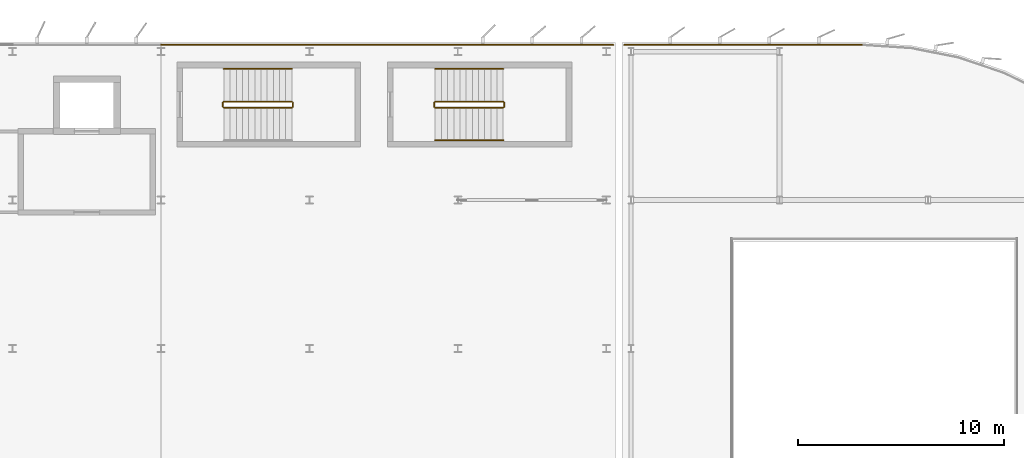
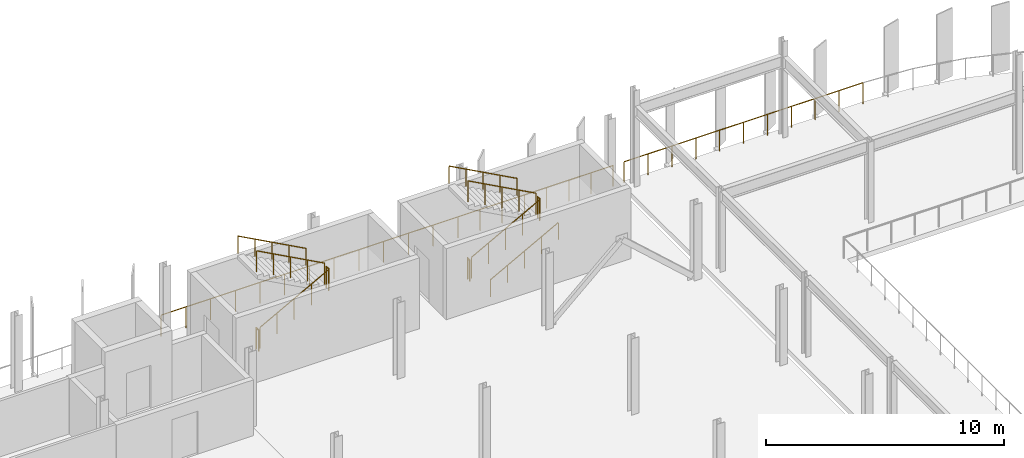
# One storey, part 39 of 40: 15 railings.
"""IFC4 building model written with IfcOpenShell, lengths in metres."""

from ifc_helpers import new_model, si_unit, direction, frame, origin, origin_2d, place, context, subcontext, project, spatial, circle, extrude, material, layer, layer_set, type_object, element, save


model = new_model("IFC4")

# Units and contexts
model_context = context("Model", 3, precision=1e-05, world=origin(), true_north=direction((0.0, 1.0)))
body_context = subcontext(model_context, "Body", "Model", "MODEL_VIEW")
ifc_project = project(units=[si_unit("LENGTHUNIT", "METRE"), si_unit("AREAUNIT", "SQUARE_METRE"), si_unit("VOLUMEUNIT", "CUBIC_METRE"), si_unit("PLANEANGLEUNIT", "RADIAN"), si_unit("MASSUNIT", "GRAM", prefix="KILO")], contexts=[model_context])

# Site, building, storey
site_placement = place(None, origin())
site = spatial("IfcSite", under=ifc_project, at=site_placement, CompositionType="ELEMENT")
building_placement = place(site_placement, origin())
building = spatial("IfcBuilding", under=site, at=building_placement, Name="Vaelcorin Mobility Hub", CompositionType="ELEMENT")
storey_placement = place(building_placement, frame((0.0, 0.0, 17.10009765625)))
storey = spatial("IfcBuildingStorey", under=building, at=storey_placement, Name="L04", CompositionType="ELEMENT", Elevation=17.10009765625)

# Railings
ifc_material_1 = material(Name="Galvanised structural steel ASTM A36", Category="steel")
ifc_layer_1 = layer(ifc_material_1, 0.070068359375)
ifc_layer_set_1 = layer_set([ifc_layer_1], Name="Galvanised structural steel ASTM A36")
railing_type_1 = type_object("IfcRailingType", Name="RL-GUARD-1100", PredefinedType="BALUSTRADE", material=ifc_layer_set_1)
for number, where, name in (
    (1, (100.800048828125, 120.330078125, 0.0), "L04 Perimeter Guard GR-V4-L04-N-10-01"),
    (2, (108.0, 120.330078125, 0.0), "L04 Perimeter Guard GR-V4-L04-N-11-01"),
):
    element("IfcRailing", number, at=place(storey_placement, frame(where)), inside=storey, type_object=railing_type_1, Name=name, PredefinedType="BALUSTRADE", context=body_context, shape_type="SweptSolid", body=[
        extrude(circle(Radius=0.02392578125, at=origin_2d()), frame((0.0, 0.0, 1.076171875), z_axis=(1.0, 0.0, 0.0), x_axis=(0.0, 1.0, 0.0)), (0.0, 0.0, 1.0), 7.199951171875),
        extrude(circle(Radius=0.02099609375, at=origin_2d()), origin(), (0.0, 0.0, 1.0), 1.052001953125),
        extrude(circle(Radius=0.02099609375, at=origin_2d()), frame((1.199951171875, 0.0, 0.0)), (0.0, 0.0, 1.0), 1.052001953125),
        extrude(circle(Radius=0.02099609375, at=origin_2d()), frame((2.39990234375, 0.0, 0.0)), (0.0, 0.0, 1.0), 1.052001953125),
        extrude(circle(Radius=0.02099609375, at=origin_2d()), frame((3.60009765625, 0.0, 0.0)), (0.0, 0.0, 1.0), 1.052001953125),
        extrude(circle(Radius=0.02099609375, at=origin_2d()), frame((4.800048828125, 0.0, 0.0)), (0.0, 0.0, 1.0), 1.052001953125),
        extrude(circle(Radius=0.02099609375, at=origin_2d()), frame((6.0, 0.0, 0.0)), (0.0, 0.0, 1.0), 1.052001953125),
        extrude(circle(Radius=0.02099609375, at=origin_2d()), frame((7.199951171875, 0.0, 0.0)), (0.0, 0.0, 1.0), 1.052001953125),
    ])
railing_1_placement = place(storey_placement, frame((115.199951171875, 120.330078125, 0.0)))
element("IfcRailing", 3, at=railing_1_placement, inside=storey, type_object=railing_type_1, Name="L04 Perimeter Guard GR-V4-L04-N-12-01", PredefinedType="BALUSTRADE", context=body_context, shape_type="SweptSolid", body=[
    extrude(circle(Radius=0.02392578125, at=origin_2d()), frame((0.0, 0.0, 1.076171875), z_axis=(1.0, 0.0, 0.0), x_axis=(0.0, 1.0, 0.0)), (0.0, 0.0, 1.0), 7.530029296875),
    extrude(circle(Radius=0.02099609375, at=origin_2d()), origin(), (0.0, 0.0, 1.0), 1.052001953125),
    extrude(circle(Radius=0.02099609375, at=origin_2d()), frame((1.07568359375, 0.0, 0.0)), (0.0, 0.0, 1.0), 1.052001953125),
    extrude(circle(Radius=0.02099609375, at=origin_2d()), frame((2.1513671875, 0.0, 0.0)), (0.0, 0.0, 1.0), 1.052001953125),
    extrude(circle(Radius=0.02099609375, at=origin_2d()), frame((3.22705078125, 0.0, 0.0)), (0.0, 0.0, 1.0), 1.052001953125),
    extrude(circle(Radius=0.02099609375, at=origin_2d()), frame((4.302978515625, 0.0, 0.0)), (0.0, 0.0, 1.0), 1.052001953125),
    extrude(circle(Radius=0.02099609375, at=origin_2d()), frame((5.378662109375, 0.0, 0.0)), (0.0, 0.0, 1.0), 1.052001953125),
    extrude(circle(Radius=0.02099609375, at=origin_2d()), frame((6.454345703125, 0.0, 0.0)), (0.0, 0.0, 1.0), 1.052001953125),
    extrude(circle(Radius=0.02099609375, at=origin_2d()), frame((7.530029296875, 0.0, 0.0)), (0.0, 0.0, 1.0), 1.052001953125),
])
railing_2_placement = place(storey_placement, frame((123.27001953125, 120.330078125, 0.0)))
element("IfcRailing", 4, at=railing_2_placement, inside=storey, type_object=railing_type_1, Name="L04 Perimeter Guard GR-V2E-L04-01", PredefinedType="BALUSTRADE", context=body_context, shape_type="SweptSolid", body=[
    extrude(circle(Radius=0.02392578125, at=origin_2d()), frame((0.0, 0.0, 1.076171875), z_axis=(1.0, 0.0, 0.0), x_axis=(0.0, 1.0, 0.0)), (0.0, 0.0, 1.0), 11.580078125),
    extrude(circle(Radius=0.02099609375, at=origin_2d()), origin(), (0.0, 0.0, 1.0), 1.052001953125),
    extrude(circle(Radius=0.02099609375, at=origin_2d()), frame((1.157958984375, 0.0, 0.0)), (0.0, 0.0, 1.0), 1.052001953125),
    extrude(circle(Radius=0.02099609375, at=origin_2d()), frame((2.31591796875, 0.0, 0.0)), (0.0, 0.0, 1.0), 1.052001953125),
    extrude(circle(Radius=0.02099609375, at=origin_2d()), frame((3.47412109375, 0.0, 0.0)), (0.0, 0.0, 1.0), 1.052001953125),
    extrude(circle(Radius=0.02099609375, at=origin_2d()), frame((4.632080078125, 0.0, 0.0)), (0.0, 0.0, 1.0), 1.052001953125),
    extrude(circle(Radius=0.02099609375, at=origin_2d()), frame((5.7900390625, 0.0, 0.0)), (0.0, 0.0, 1.0), 1.052001953125),
    extrude(circle(Radius=0.02099609375, at=origin_2d()), frame((6.947998046875, 0.0, 0.0)), (0.0, 0.0, 1.0), 1.052001953125),
    extrude(circle(Radius=0.02099609375, at=origin_2d()), frame((8.10595703125, 0.0, 0.0)), (0.0, 0.0, 1.0), 1.052001953125),
    extrude(circle(Radius=0.02099609375, at=origin_2d()), frame((9.26416015625, 0.0, 0.0)), (0.0, 0.0, 1.0), 1.052001953125),
    extrude(circle(Radius=0.02099609375, at=origin_2d()), frame((10.422119140625, 0.0, 0.0)), (0.0, 0.0, 1.0), 1.052001953125),
    extrude(circle(Radius=0.02099609375, at=origin_2d()), frame((11.580078125, 0.0, 0.0)), (0.0, 0.0, 1.0), 1.052001953125),
])
ifc_material_2 = material(Name="Brushed stainless steel 316L", Category="steel")
ifc_layer_2 = layer(ifc_material_2, 0.048095703125)
ifc_layer_set_2 = layer_set([ifc_layer_2], Name="Brushed stainless steel 316L")
railing_type_2 = type_object("IfcRailingType", Name="RL-STAIR-GRD", PredefinedType="GUARDRAIL", material=ifc_layer_set_2)
railing_3_placement = place(storey_placement, frame((103.85009765625, 117.280029296875, 0.162353515625)))
element("IfcRailing", 5, at=railing_3_placement, inside=storey, type_object=railing_type_2, Name="L04 ST4 stair guard 1", PredefinedType="GUARDRAIL", context=body_context, shape_type="SweptSolid", body=[
    extrude(circle(Radius=0.02392578125, at=origin_2d()), frame((0.0, 0.0, 1.076171875), z_axis=(0.879269262144, 0.0, 0.476325061958), x_axis=(0.0, 1.0, 0.0)), (0.0, 0.0, 1.0), 3.7529296875),
    extrude(circle(Radius=0.02099609375, at=origin_2d()), origin(), (0.0, 0.0, 1.0), 1.052001953125),
    extrude(circle(Radius=0.02099609375, at=origin_2d()), frame((0.824951171875, 0.0, 0.44677734375)), (0.0, 0.0, 1.0), 1.052001953125),
    extrude(circle(Radius=0.02099609375, at=origin_2d()), frame((1.64990234375, 0.0, 0.893798828125)), (0.0, 0.0, 1.0), 1.052001953125),
    extrude(circle(Radius=0.02099609375, at=origin_2d()), frame((2.474853515625, 0.0, 1.3408203125)), (0.0, 0.0, 1.0), 1.052001953125),
    extrude(circle(Radius=0.02099609375, at=origin_2d()), frame((3.2998046875, 0.0, 1.78759765625)), (0.0, 0.0, 1.0), 1.052001953125),
])
railing_4_placement = place(storey_placement, frame((107.199951171875, 117.330078125, 1.949951171875)))
element("IfcRailing", 6, at=railing_4_placement, inside=storey, type_object=railing_type_2, Name="L04 ST4 stair guard 2", PredefinedType="GUARDRAIL", context=body_context, shape_type="SweptSolid", body=[
    extrude(circle(Radius=0.02392578125, at=origin_2d()), frame((0.0, 0.0, 1.076171875), z_axis=(0.0, 1.0, 0.0), x_axis=(-1.0, 0.0, 0.0)), (0.0, 0.0, 1.0), 0.199951171875),
    extrude(circle(Radius=0.02099609375, at=origin_2d()), origin(), (0.0, 0.0, 1.0), 1.052001953125),
    extrude(circle(Radius=0.02099609375, at=origin_2d()), frame((0.0, 0.199951171875, 0.0)), (0.0, 0.0, 1.0), 1.052001953125),
])
railing_5_placement = place(storey_placement, frame((107.14990234375, 117.580078125, 2.1123046875)))
element("IfcRailing", 7, at=railing_5_placement, inside=storey, type_object=railing_type_2, Name="L04 ST4 stair guard 3", PredefinedType="GUARDRAIL", context=body_context, shape_type="SweptSolid", body=[
    extrude(circle(Radius=0.02392578125, at=origin_2d()), frame((0.0, 0.0, 1.076171875), z_axis=(-0.879269262144, 0.0, 0.476325061958), x_axis=(0.0, -1.0, 0.0)), (0.0, 0.0, 1.0), 3.7529296875),
    extrude(circle(Radius=0.02099609375, at=origin_2d()), origin(), (0.0, 0.0, 1.0), 1.052001953125),
    extrude(circle(Radius=0.02099609375, at=origin_2d()), frame((-0.824951171875, 0.0, 0.44677734375)), (0.0, 0.0, 1.0), 1.052001953125),
    extrude(circle(Radius=0.02099609375, at=origin_2d()), frame((-1.64990234375, 0.0, 0.893798828125)), (0.0, 0.0, 1.0), 1.052001953125),
    extrude(circle(Radius=0.02099609375, at=origin_2d()), frame((-2.474853515625, 0.0, 1.3408203125)), (0.0, 0.0, 1.0), 1.052001953125),
    extrude(circle(Radius=0.02099609375, at=origin_2d()), frame((-3.2998046875, 0.0, 1.78759765625)), (0.0, 0.0, 1.0), 1.052001953125),
])
railing_6_placement = place(storey_placement, frame((103.800048828125, 117.330078125, 0.0)))
element("IfcRailing", 8, at=railing_6_placement, inside=storey, type_object=railing_type_2, Name="L04 ST4 stair guard 4", PredefinedType="GUARDRAIL", context=body_context, shape_type="SweptSolid", body=[
    extrude(circle(Radius=0.02392578125, at=origin_2d()), frame((0.0, 0.0, 1.076171875), z_axis=(0.0, 1.0, 0.0), x_axis=(-1.0, 0.0, 0.0)), (0.0, 0.0, 1.0), 0.199951171875),
    extrude(circle(Radius=0.02099609375, at=origin_2d()), origin(), (0.0, 0.0, 1.0), 1.052001953125),
    extrude(circle(Radius=0.02099609375, at=origin_2d()), frame((0.0, 0.199951171875, 0.0)), (0.0, 0.0, 1.0), 1.052001953125),
])
railing_7_placement = place(storey_placement, frame((114.10009765625, 117.280029296875, 0.162353515625)))
element("IfcRailing", 9, at=railing_7_placement, inside=storey, type_object=railing_type_2, Name="L04 ST9 stair guard 1", PredefinedType="GUARDRAIL", context=body_context, shape_type="SweptSolid", body=[
    extrude(circle(Radius=0.02392578125, at=origin_2d()), frame((0.0, 0.0, 1.076171875), z_axis=(0.879269262144, 0.0, 0.476325061958), x_axis=(0.0, 1.0, 0.0)), (0.0, 0.0, 1.0), 3.7529296875),
    extrude(circle(Radius=0.02099609375, at=origin_2d()), origin(), (0.0, 0.0, 1.0), 1.052001953125),
    extrude(circle(Radius=0.02099609375, at=origin_2d()), frame((0.824951171875, 0.0, 0.44677734375)), (0.0, 0.0, 1.0), 1.052001953125),
    extrude(circle(Radius=0.02099609375, at=origin_2d()), frame((1.64990234375, 0.0, 0.893798828125)), (0.0, 0.0, 1.0), 1.052001953125),
    extrude(circle(Radius=0.02099609375, at=origin_2d()), frame((2.474853515625, 0.0, 1.3408203125)), (0.0, 0.0, 1.0), 1.052001953125),
    extrude(circle(Radius=0.02099609375, at=origin_2d()), frame((3.2998046875, 0.0, 1.78759765625)), (0.0, 0.0, 1.0), 1.052001953125),
])
railing_8_placement = place(storey_placement, frame((117.449951171875, 117.330078125, 1.949951171875)))
element("IfcRailing", 10, at=railing_8_placement, inside=storey, type_object=railing_type_2, Name="L04 ST9 stair guard 2", PredefinedType="GUARDRAIL", context=body_context, shape_type="SweptSolid", body=[
    extrude(circle(Radius=0.02392578125, at=origin_2d()), frame((0.0, 0.0, 1.076171875), z_axis=(0.0, 1.0, 0.0), x_axis=(-1.0, 0.0, 0.0)), (0.0, 0.0, 1.0), 0.199951171875),
    extrude(circle(Radius=0.02099609375, at=origin_2d()), origin(), (0.0, 0.0, 1.0), 1.052001953125),
    extrude(circle(Radius=0.02099609375, at=origin_2d()), frame((0.0, 0.199951171875, 0.0)), (0.0, 0.0, 1.0), 1.052001953125),
])
railing_9_placement = place(storey_placement, frame((117.39990234375, 117.580078125, 2.1123046875)))
element("IfcRailing", 11, at=railing_9_placement, inside=storey, type_object=railing_type_2, Name="L04 ST9 stair guard 3", PredefinedType="GUARDRAIL", context=body_context, shape_type="SweptSolid", body=[
    extrude(circle(Radius=0.02392578125, at=origin_2d()), frame((0.0, 0.0, 1.076171875), z_axis=(-0.879269262144, 0.0, 0.476325061958), x_axis=(0.0, -1.0, 0.0)), (0.0, 0.0, 1.0), 3.7529296875),
    extrude(circle(Radius=0.02099609375, at=origin_2d()), origin(), (0.0, 0.0, 1.0), 1.052001953125),
    extrude(circle(Radius=0.02099609375, at=origin_2d()), frame((-0.824951171875, 0.0, 0.44677734375)), (0.0, 0.0, 1.0), 1.052001953125),
    extrude(circle(Radius=0.02099609375, at=origin_2d()), frame((-1.64990234375, 0.0, 0.893798828125)), (0.0, 0.0, 1.0), 1.052001953125),
    extrude(circle(Radius=0.02099609375, at=origin_2d()), frame((-2.474853515625, 0.0, 1.3408203125)), (0.0, 0.0, 1.0), 1.052001953125),
    extrude(circle(Radius=0.02099609375, at=origin_2d()), frame((-3.2998046875, 0.0, 1.78759765625)), (0.0, 0.0, 1.0), 1.052001953125),
])
railing_10_placement = place(storey_placement, frame((114.050048828125, 117.330078125, 0.0)))
element("IfcRailing", 12, at=railing_10_placement, inside=storey, type_object=railing_type_2, Name="L04 ST9 stair guard 4", PredefinedType="GUARDRAIL", context=body_context, shape_type="SweptSolid", body=[
    extrude(circle(Radius=0.02392578125, at=origin_2d()), frame((0.0, 0.0, 1.076171875), z_axis=(0.0, 1.0, 0.0), x_axis=(-1.0, 0.0, 0.0)), (0.0, 0.0, 1.0), 0.199951171875),
    extrude(circle(Radius=0.02099609375, at=origin_2d()), origin(), (0.0, 0.0, 1.0), 1.052001953125),
    extrude(circle(Radius=0.02099609375, at=origin_2d()), frame((0.0, 0.199951171875, 0.0)), (0.0, 0.0, 1.0), 1.052001953125),
])
ifc_layer_3 = layer(ifc_material_2, 0.048095703125)
ifc_layer_set_3 = layer_set([ifc_layer_3], Name="Brushed stainless steel 316L")
railing_type_3 = type_object("IfcRailingType", Name="RL-STAIR-HR", PredefinedType="HANDRAIL", material=ifc_layer_set_3)
railing_11_placement = place(storey_placement, frame((107.14990234375, 119.159912109375, 2.1123046875)))
element("IfcRailing", 13, at=railing_11_placement, inside=storey, type_object=railing_type_3, Name="L04 ST4 stair handrail 2", PredefinedType="HANDRAIL", context=body_context, shape_type="SweptSolid", body=[
    extrude(circle(Radius=0.02392578125, at=origin_2d()), frame((0.0, 0.0, 0.8759765625), z_axis=(-0.879269262144, 0.0, 0.476325061958), x_axis=(0.0, -1.0, 0.0)), (0.0, 0.0, 1.0), 3.7529296875),
    extrude(circle(Radius=0.02099609375, at=origin_2d()), origin(), (0.0, 0.0, 1.0), 0.851806640625),
    extrude(circle(Radius=0.02099609375, at=origin_2d()), frame((-0.824951171875, 0.0, 0.44677734375)), (0.0, 0.0, 1.0), 0.851806640625),
    extrude(circle(Radius=0.02099609375, at=origin_2d()), frame((-1.64990234375, 0.0, 0.893798828125)), (0.0, 0.0, 1.0), 0.851806640625),
    extrude(circle(Radius=0.02099609375, at=origin_2d()), frame((-2.474853515625, 0.0, 1.3408203125)), (0.0, 0.0, 1.0), 0.851806640625),
    extrude(circle(Radius=0.02099609375, at=origin_2d()), frame((-3.2998046875, 0.0, 1.78759765625)), (0.0, 0.0, 1.0), 0.851806640625),
])
railing_12_placement = place(storey_placement, frame((114.10009765625, 115.699951171875, 0.162353515625)))
element("IfcRailing", 14, at=railing_12_placement, inside=storey, type_object=railing_type_3, Name="L04 ST9 stair handrail 1", PredefinedType="HANDRAIL", context=body_context, shape_type="SweptSolid", body=[
    extrude(circle(Radius=0.02392578125, at=origin_2d()), frame((0.0, 0.0, 0.8759765625), z_axis=(0.879269262144, 0.0, 0.476325061958), x_axis=(0.0, 1.0, 0.0)), (0.0, 0.0, 1.0), 3.7529296875),
    extrude(circle(Radius=0.02099609375, at=origin_2d()), origin(), (0.0, 0.0, 1.0), 0.851806640625),
    extrude(circle(Radius=0.02099609375, at=origin_2d()), frame((0.824951171875, 0.0, 0.44677734375)), (0.0, 0.0, 1.0), 0.851806640625),
    extrude(circle(Radius=0.02099609375, at=origin_2d()), frame((1.64990234375, 0.0, 0.893798828125)), (0.0, 0.0, 1.0), 0.851806640625),
    extrude(circle(Radius=0.02099609375, at=origin_2d()), frame((2.474853515625, 0.0, 1.3408203125)), (0.0, 0.0, 1.0), 0.851806640625),
    extrude(circle(Radius=0.02099609375, at=origin_2d()), frame((3.2998046875, 0.0, 1.78759765625)), (0.0, 0.0, 1.0), 0.851806640625),
])
railing_13_placement = place(storey_placement, frame((117.39990234375, 119.159912109375, 2.1123046875)))
element("IfcRailing", 15, at=railing_13_placement, inside=storey, type_object=railing_type_3, Name="L04 ST9 stair handrail 2", PredefinedType="HANDRAIL", context=body_context, shape_type="SweptSolid", body=[
    extrude(circle(Radius=0.02392578125, at=origin_2d()), frame((0.0, 0.0, 0.8759765625), z_axis=(-0.879269262144, 0.0, 0.476325061958), x_axis=(0.0, -1.0, 0.0)), (0.0, 0.0, 1.0), 3.7529296875),
    extrude(circle(Radius=0.02099609375, at=origin_2d()), origin(), (0.0, 0.0, 1.0), 0.851806640625),
    extrude(circle(Radius=0.02099609375, at=origin_2d()), frame((-0.824951171875, 0.0, 0.44677734375)), (0.0, 0.0, 1.0), 0.851806640625),
    extrude(circle(Radius=0.02099609375, at=origin_2d()), frame((-1.64990234375, 0.0, 0.893798828125)), (0.0, 0.0, 1.0), 0.851806640625),
    extrude(circle(Radius=0.02099609375, at=origin_2d()), frame((-2.474853515625, 0.0, 1.3408203125)), (0.0, 0.0, 1.0), 0.851806640625),
    extrude(circle(Radius=0.02099609375, at=origin_2d()), frame((-3.2998046875, 0.0, 1.78759765625)), (0.0, 0.0, 1.0), 0.851806640625),
])

save(model, "model.ifc")
